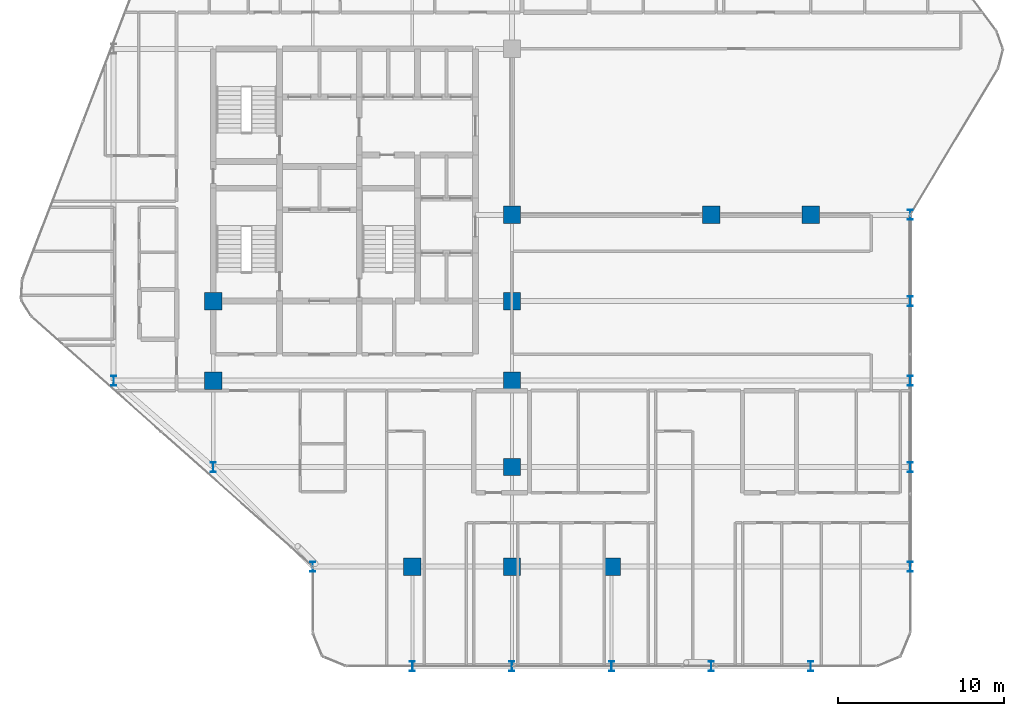
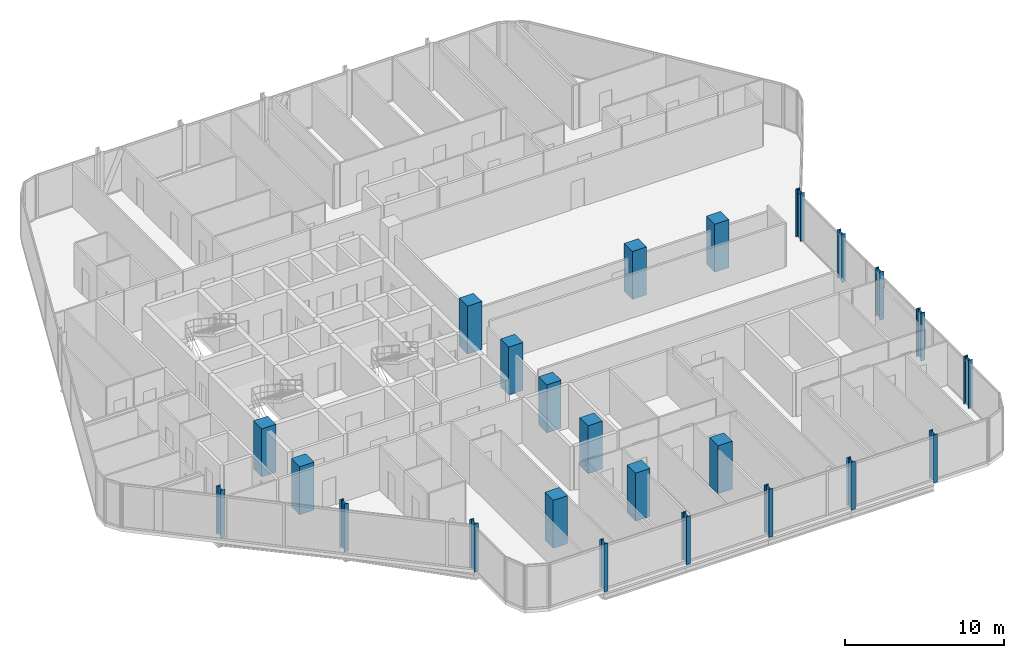
# One storey, part 1 of 29: 24 columns.
"""IFC4 building model written with IfcOpenShell, lengths in metres."""

from ifc_helpers import new_model, si_unit, direction, frame, origin, origin_2d, place, context, subcontext, project, spatial, rectangle, i_section, extrude, material, material_profile, profile_set, type_object, element, save


model = new_model("IFC4")

# Units and contexts
model_context = context("Model", 3, precision=1e-05, world=origin(), true_north=direction((0.0, 1.0)))
body_context = subcontext(model_context, "Body", "Model", "MODEL_VIEW")
ifc_project = project(units=[si_unit("LENGTHUNIT", "METRE"), si_unit("AREAUNIT", "SQUARE_METRE"), si_unit("VOLUMEUNIT", "CUBIC_METRE"), si_unit("PLANEANGLEUNIT", "RADIAN"), si_unit("MASSUNIT", "GRAM", prefix="KILO")], contexts=[model_context])

# Site, building, storey
site_placement = place(None, origin())
site = spatial("IfcSite", under=ifc_project, at=site_placement, CompositionType="ELEMENT")
building_placement = place(site_placement, origin())
building = spatial("IfcBuilding", under=site, at=building_placement, Name="Keshet Zoharim Tower", CompositionType="ELEMENT")
storey_placement = place(building_placement, frame((0.0, 0.0, 98.300048828125)))
storey = spatial("IfcBuildingStorey", under=building, at=storey_placement, Name="L23", CompositionType="ELEMENT", Elevation=98.300048828125)

# Columns
ifc_material_1 = material(Name="Steel S355", Category="steel")
ifc_material_profile_1 = material_profile(ifc_material_1, i_section(OverallWidth=0.300048828125, OverallDepth=0.60009765625, WebThickness=0.015380859375, FlangeThickness=0.030029296875, FilletRadius=0.027099609375, at=origin_2d()), Name="HEB600")
ifc_profile_set_1 = profile_set([ifc_material_profile_1], Name="Steel S355")
column_type_1 = type_object("IfcColumnType", Name="COL-HEB600", PredefinedType="COLUMN", material=ifc_profile_set_1)
for number, where, z_axis, x_axis, name in (
    (1, (9.0, 17.89990234375, 0.0), (0.0, 0.0, 1.0), (1.0, 0.0, 0.0), "L23 Column 2D"),
    (2, (15.0, 12.699951171875, 0.0), (0.0, 0.0, 1.0), (1.0, 0.0, 0.0), "L23 Column 3C"),
    (3, (21.0, 6.699951171875, 0.0), (0.0, 0.0, 1.0), (1.0, 0.0, 0.0), "L23 Column 4B"),
    (4, (27.0, 0.699951171875, 0.0), (0.0, 0.0, 1.0), (1.0, 0.0, 0.0), "L23 Column 5A"),
    (5, (33.0, 0.699951171875, 0.0), (0.0, 0.0, 1.0), (1.0, 0.0, 0.0), "L23 Column 6A"),
    (6, (39.0, 0.699951171875, 0.0), (0.0, 0.0, 1.0), (1.0, 0.0, 0.0), "L23 Column 7A"),
    (7, (45.0, 0.699951171875, 0.0), (0.0, 0.0, 1.0), (1.0, 0.0, 0.0), "L23 Column 8A"),
    (8, (51.0, 0.699951171875, 0.0), (0.0, 0.0, 1.0), (1.0, 0.0, 0.0), "L23 Column 9A"),
    (9, (57.0, 6.699951171875, 0.0), (0.0, 0.0, 1.0), (1.0, 0.0, 0.0), "L23 Column 10B"),
    (10, (57.0, 12.699951171875, 0.0), (0.0, 0.0, 1.0), (1.0, 0.0, 0.0), "L23 Column 10C"),
    (11, (57.0, 17.89990234375, 0.0), (0.0, 0.0, 1.0), (1.0, 0.0, 0.0), "L23 Column 10D"),
    (12, (57.0, 22.699951171875, 0.0), (0.0, 0.0, 1.0), (1.0, 0.0, 0.0), "L23 Column 10E"),
    (13, (57.0, 27.89990234375, 0.0), (0.0, 0.0, 1.0), (1.0, 0.0, 0.0), "L23 Column 10F"),
):
    element("IfcColumn", number, at=place(storey_placement, frame(where, z_axis=z_axis, x_axis=x_axis)), inside=storey, type_object=column_type_1, Name=name, PredefinedType="COLUMN", context=body_context, shape_type="SweptSolid", body=[
        extrude(i_section(OverallWidth=0.300048828125, OverallDepth=0.60009765625, WebThickness=0.015380859375, FlangeThickness=0.030029296875, FilletRadius=0.027099609375, at=origin_2d()), origin(), (0.0, 0.0, 1.0), 3.699951171875),
    ])
ifc_material_2 = material(Name="Concrete C60/75", Category="concrete")
ifc_material_profile_2 = material_profile(ifc_material_2, rectangle(XDim=1.050048828125, YDim=1.050048828125, at=origin_2d()), Name="RC1050x1050")
ifc_profile_set_2 = profile_set([ifc_material_profile_2], Name="Concrete C60/75")
column_type_2 = type_object("IfcColumnType", Name="COL-RC1050", PredefinedType="COLUMN", material=ifc_profile_set_2)
for number, where, z_axis, x_axis, name in (
    (14, (15.0, 17.89990234375, 0.0), (0.0, 0.0, 1.0), (1.0, 0.0, 0.0), "L23 Column 3D"),
    (15, (15.0, 22.699951171875, 0.0), (0.0, 0.0, 1.0), (1.0, 0.0, 0.0), "L23 Column 3E"),
    (16, (27.0, 6.699951171875, 0.0), (0.0, 0.0, 1.0), (1.0, 0.0, 0.0), "L23 Column 5B"),
    (17, (33.0, 6.699951171875, 0.0), (0.0, 0.0, 1.0), (1.0, 0.0, 0.0), "L23 Column 6B"),
    (18, (33.0, 12.699951171875, 0.0), (0.0, 0.0, 1.0), (1.0, 0.0, 0.0), "L23 Column 6C"),
    (19, (33.0, 17.89990234375, 0.0), (0.0, 0.0, 1.0), (1.0, 0.0, 0.0), "L23 Column 6D"),
    (20, (33.0, 22.699951171875, 0.0), (0.0, 0.0, 1.0), (1.0, 0.0, 0.0), "L23 Column 6E"),
    (21, (33.0, 27.89990234375, 0.0), (0.0, 0.0, 1.0), (1.0, 0.0, 0.0), "L23 Column 6F"),
    (22, (39.0, 6.699951171875, 0.0), (0.0, 0.0, 1.0), (1.0, 0.0, 0.0), "L23 Column 7B"),
    (23, (45.0, 27.89990234375, 0.0), (0.0, 0.0, 1.0), (1.0, 0.0, 0.0), "L23 Column 8F"),
    (24, (51.0, 27.89990234375, 0.0), (0.0, 0.0, 1.0), (1.0, 0.0, 0.0), "L23 Column 9F"),
):
    element("IfcColumn", number, at=place(storey_placement, frame(where, z_axis=z_axis, x_axis=x_axis)), inside=storey, type_object=column_type_2, Name=name, PredefinedType="COLUMN", context=body_context, shape_type="SweptSolid", body=[
        extrude(rectangle(XDim=1.050048828125, YDim=1.050048828125, at=origin_2d()), origin(), (0.0, 0.0, 1.0), 3.699951171875),
    ])

save(model, "model.ifc")
